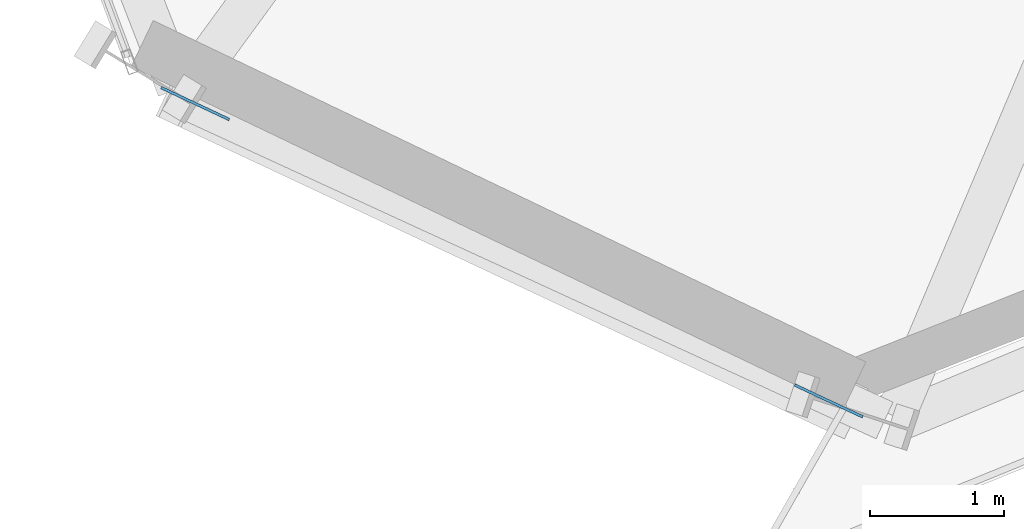
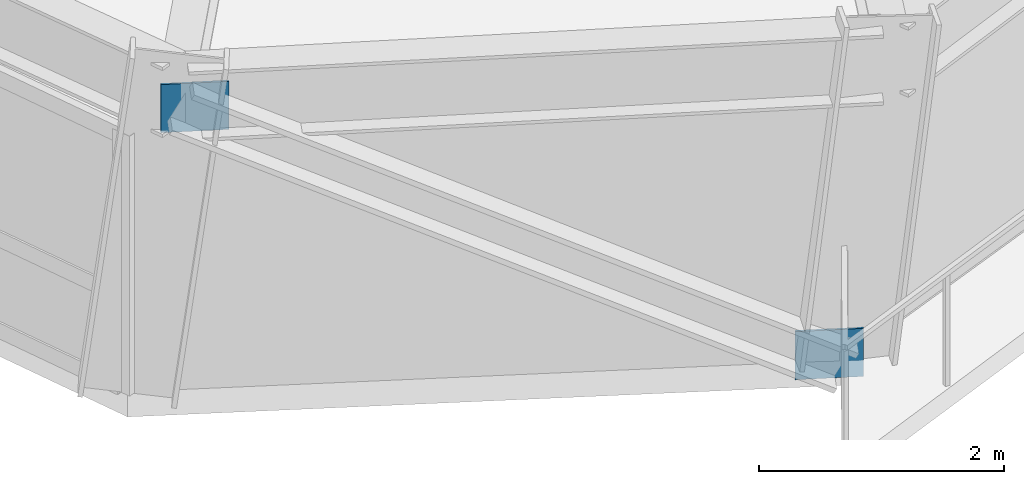
# One storey, part 12 of 21: 2 plates.
"""IFC4 building model written with IfcOpenShell, lengths in metres."""

from ifc_helpers import new_model, si_unit, direction, frame, origin, origin_2d, place, context, subcontext, project, spatial, rectangle, extrude, source, transform, mapped, material, type_object, element, save


model = new_model("IFC4")

# Units and contexts
model_context = context("Model", 3, precision=1e-05, world=origin(), true_north=direction((0.0, 1.0)))
body_context = subcontext(model_context, "Body", "Model", "MODEL_VIEW")
ifc_project = project(units=[si_unit("LENGTHUNIT", "METRE"), si_unit("AREAUNIT", "SQUARE_METRE"), si_unit("VOLUMEUNIT", "CUBIC_METRE"), si_unit("PLANEANGLEUNIT", "RADIAN"), si_unit("MASSUNIT", "GRAM", prefix="KILO")], contexts=[model_context])

# Site, building, storey
site_placement = place(None, origin())
site = spatial("IfcSite", under=ifc_project, at=site_placement, CompositionType="ELEMENT")
building_placement = place(site_placement, origin())
building = spatial("IfcBuilding", under=site, at=building_placement, Name="Olszyna Solenne Hotel", CompositionType="ELEMENT")
storey_placement = place(building_placement, frame((0.0, 0.0, 68.35009765625)))
storey = spatial("IfcBuildingStorey", under=building, at=storey_placement, Name="L17", CompositionType="ELEMENT", Elevation=68.35009765625)

# Plates
ifc_material = material(Name="Steel S355J2", Category="steel")
plate_type = type_object("IfcPlateType", Name="GP-ND2", PredefinedType="USERDEFINED", material=ifc_material)
shared_shape = source(origin(), body_context, "Body", "SweptSolid", [
    extrude(rectangle(XDim=0.56005859375, YDim=0.02001953125, at=origin_2d()), origin(), (0.0, 0.0, 1.0), 0.47998046875),
])
for number, where, z_axis, x_axis, name in (
    (1, (27.7626953125, 3.6953125, -0.164306640625), (0.0, 0.0, 1.0), (-0.905198270413, 0.424989518979, 0.0), "Brace end connection gusset plate GP-ND2 EP-BR-L17-3-1"),
    (2, (23.05126953125, 5.90673828125, 2.609130859375), (0.0, 0.0, 1.0), (-0.905198270413, 0.424989518979, 0.0), "Brace end connection gusset plate GP-ND2 EP-BR-L17-3-2"),
):
    element("IfcPlate", number, at=place(storey_placement, frame(where, z_axis=z_axis, x_axis=x_axis)), inside=storey, type_object=plate_type, Name=name, ObjectType="GUSSET_PLATE", PredefinedType="USERDEFINED", context=body_context, shape_type="MappedRepresentation", body=[
        mapped(shared_shape, transform((0.0, 0.0, 0.0), x_axis=(1.0, 0.0, 0.0), y_axis=(0.0, 1.0, 0.0), z_axis=(0.0, 0.0, 1.0), scale=1.0)),
    ])

save(model, "model.ifc")
